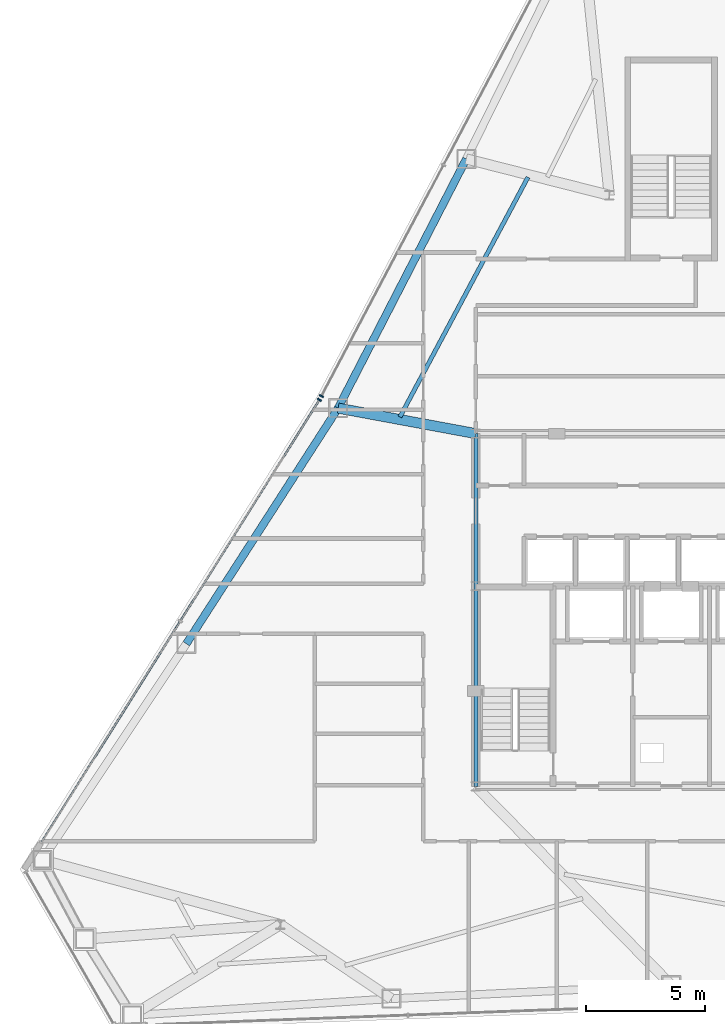
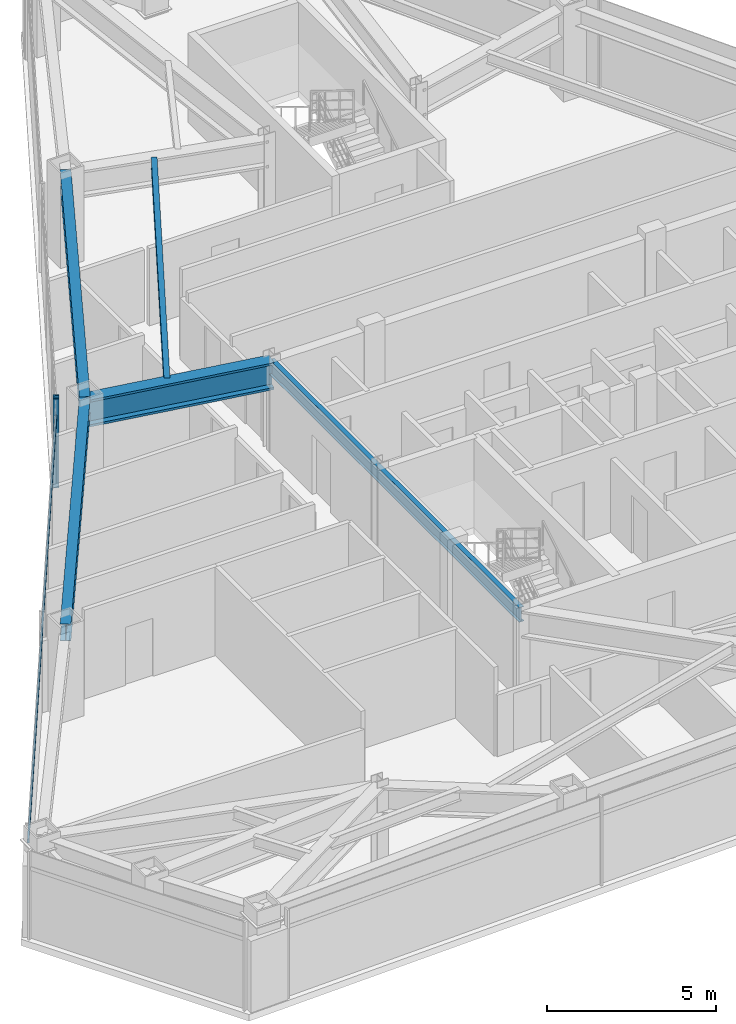
# One storey, part 5 of 13: 5 beams, 3 members, 2 elements without a shape of their own.
"""IFC4 building model written with IfcOpenShell, lengths in metres."""

from ifc_helpers import new_model, si_unit, direction, frame, origin, origin_2d, place, context, subcontext, project, spatial, rectangle, i_section, extrude, source, transform, mapped, material, layer, layer_set, material_profile, profile_set, type_object, type_shapes, element, aggregate, save


model = new_model("IFC4")

# Units and contexts
model_context = context("Model", 3, precision=1e-05, world=origin(), true_north=direction((0.0, 1.0)))
body_context = subcontext(model_context, "Body", "Model", "MODEL_VIEW")
ifc_project = project(units=[si_unit("LENGTHUNIT", "METRE"), si_unit("AREAUNIT", "SQUARE_METRE"), si_unit("VOLUMEUNIT", "CUBIC_METRE"), si_unit("PLANEANGLEUNIT", "RADIAN"), si_unit("MASSUNIT", "GRAM", prefix="KILO")], contexts=[model_context])

# Site, building, storey
site_placement = place(None, origin())
site = spatial("IfcSite", under=ifc_project, at=site_placement, CompositionType="ELEMENT")
building_placement = place(site_placement, origin())
building = spatial("IfcBuilding", under=site, at=building_placement, Name="Varakhsha Concourse Tower", CompositionType="ELEMENT")
storey_placement = place(building_placement, frame((0.0, 0.0, 179.25)))
storey = spatial("IfcBuildingStorey", under=building, at=storey_placement, Name="L51", CompositionType="ELEMENT", Elevation=179.25)

# Beams
ifc_material_1 = material(Name="Structural Steel ASTM A992 Grade 50", Category="steel")
ifc_material_profile_1 = material_profile(ifc_material_1, i_section(OverallWidth=0.177978515625, OverallDepth=0.406982421875, WebThickness=0.008056640625, FlangeThickness=0.012939453125, at=origin_2d()), Name="W16X40")
ifc_profile_set_1 = profile_set([ifc_material_profile_1], Name="Structural Steel ASTM A992 Grade 50")
beam_type_1 = type_object("IfcBeamType", Name="BM-JST-W16X40", PredefinedType="JOIST", material=ifc_profile_set_1)
beam_1_placement = place(storey_placement, frame((33.989013671875, 41.957275390625, 3.006591796875), z_axis=(-0.470992582223, -0.882137170451, 0.0), x_axis=(0.882137170451, -0.470992582223, 0.0)))
element("IfcBeam", 1, at=beam_1_placement, inside=storey, type_object=beam_type_1, Name="BM-TJST-L51-04", PredefinedType="JOIST", context=body_context, shape_type="SweptSolid", body=[
    extrude(i_section(OverallWidth=0.177978515625, OverallDepth=0.406982421875, WebThickness=0.008056640625, FlangeThickness=0.012939453125, at=origin_2d()), origin(), (0.0, 0.0, 1.0), 11.40576171875),
])
ifc_material_profile_2 = material_profile(ifc_material_1, i_section(OverallWidth=0.1669921875, OverallDepth=0.534912109375, WebThickness=0.010009765625, FlangeThickness=0.01708984375, at=origin_2d()), Name="W21X57")
ifc_profile_set_2 = profile_set([ifc_material_profile_2], Name="Structural Steel ASTM A992 Grade 50")
beam_type_2 = type_object("IfcBeamType", Name="BM-RAD-W21X57", PredefinedType="BEAM", material=ifc_profile_set_2)
beam_2_placement = place(storey_placement, frame((31.800048828125, 16.39990234375, 2.9423828125), z_axis=(0.0, 1.0, 0.0), x_axis=(-1.0, 0.0, 0.0)))
element("IfcBeam", 2, at=beam_2_placement, inside=storey, type_object=beam_type_2, Name="BM-TCORE-L51-CW", PredefinedType="BEAM", context=body_context, shape_type="SweptSolid", body=[
    extrude(i_section(OverallWidth=0.1669921875, OverallDepth=0.534912109375, WebThickness=0.010009765625, FlangeThickness=0.01708984375, at=origin_2d()), origin(), (0.0, 0.0, 1.0), 14.800048828125),
])
ifc_material_profile_3 = material_profile(ifc_material_1, i_section(OverallWidth=0.323974609375, OverallDepth=0.611083984375, WebThickness=0.012939453125, FlangeThickness=0.01904296875, at=origin_2d()), Name="W24X104")
ifc_profile_set_3 = profile_set([ifc_material_profile_3], Name="Structural Steel ASTM A992 Grade 50")
beam_type_3 = type_object("IfcBeamType", Name="BM-SPAN-W24X104", PredefinedType="SPANDREL", material=ifc_profile_set_3)
for number, where, z_axis, x_axis, name in (
    (3, (31.401611328125, 42.7255859375, 2.904541015625), (-0.457375223262, -0.889273807748, 0.0), (0.889273807748, -0.457375223262, 0.0), "BM-SPAN-L51-04"),
    (4, (26.023681640625, 32.269287109375, 2.904541015625), (-0.541439522793, -0.840739700001, 0.0), (0.840739700001, -0.541439522793, 0.0), "BM-SPAN-L51-05"),
):
    element("IfcBeam", number, at=place(storey_placement, frame(where, z_axis=z_axis, x_axis=x_axis)), inside=storey, type_object=beam_type_3, Name=name, PredefinedType="SPANDREL", context=body_context, shape_type="SweptSolid", body=[
        extrude(i_section(OverallWidth=0.323974609375, OverallDepth=0.611083984375, WebThickness=0.012939453125, FlangeThickness=0.01904296875, at=origin_2d()), origin(), (0.0, 0.0, 1.0), 11.75830078125),
    ])
ifc_material_profile_4 = material_profile(ifc_material_1, i_section(OverallWidth=0.427978515625, OverallDepth=0.97509765625, WebThickness=0.050048828125, FlangeThickness=0.0810546875, at=origin_2d()), Name="W36X395")
ifc_profile_set_4 = profile_set([ifc_material_profile_4], Name="Structural Steel ASTM A992 Grade 50")
beam_type_4 = type_object("IfcBeamType", Name="BM-XFER-W36X395", PredefinedType="USERDEFINED", material=ifc_profile_set_4)
beam_3_placement = place(storey_placement, frame((31.800048828125, 31.199951171875, 2.722412109375), z_axis=(-0.983293026869, 0.182029731939, 0.0), x_axis=(-0.182029731939, -0.983293026869, 0.0)))
element("IfcBeam", 5, at=beam_3_placement, inside=storey, type_object=beam_type_4, Name="L51 Radial Floor Girder 05", ObjectType="GIRDER", PredefinedType="USERDEFINED", context=body_context, shape_type="SweptSolid", body=[
    extrude(i_section(OverallWidth=0.427978515625, OverallDepth=0.97509765625, WebThickness=0.050048828125, FlangeThickness=0.0810546875, at=origin_2d()), origin(), (0.0, 0.0, 1.0), 5.87451171875),
])

# Curtain wall, member
ifc_material_2 = material(Name="Anodised Bronze Architectural Aluminium AA 6063-T6", Category="aluminium")
ifc_layer = layer(ifc_material_2, 0.2099609375, Name="CW-SYS-04")
ifc_layer_set = layer_set([ifc_layer], Name="Anodised Bronze Architectural Aluminium AA 6063-T6")
curtain_wall_type = type_object("IfcCurtainWallType", Name="CW-SYS-04", PredefinedType="NOTDEFINED", material=ifc_layer_set)
curtain_wall_1_placement = place(storey_placement, origin())
curtain_wall_1 = element("IfcCurtainWall", 6, at=curtain_wall_1_placement, inside=storey, type_object=curtain_wall_type, Name="L51 Crystal Curtain Wall F2", PredefinedType="NOTDEFINED")
ifc_material_profile_5 = material_profile(ifc_material_2, rectangle(XDim=0.06494140625, YDim=0.179931640625, at=origin_2d()), Name="CWM-180X65")
ifc_profile_set_5 = profile_set([ifc_material_profile_5], Name="Anodised Bronze Architectural Aluminium AA 6063-T6")
member_type_1 = type_object("IfcMemberType", Name="CWM-180X65", PredefinedType="MULLION", material=ifc_profile_set_5)
shared_shape_1 = source(origin(), body_context, "Body", "SweptSolid", [
    extrude(rectangle(XDim=0.06494140625, YDim=0.179931640625, at=origin_2d()), origin(), (0.0, 0.0, 1.0), 3.2099609375),
])
type_shapes(member_type_1, [shared_shape_1])
member_1_placement = place(storey_placement, frame((25.325927734375, 32.771240234375, 0.0), z_axis=(0.0, 0.0, 1.0), x_axis=(0.46728648373, 0.884105956389, 0.0)))
member_1 = element("IfcMember", 7, at=member_1_placement, type_object=member_type_1, Name="CW-L51-F2 Mullion 00", PredefinedType="MULLION", context=body_context, shape_type="MappedRepresentation", body=[
    mapped(shared_shape_1, transform((0.0, 0.0, 0.0), scale=1.0)),
])
aggregate(curtain_wall_1, [member_1])

# Curtain wall, members
curtain_wall_2_placement = place(storey_placement, origin())
curtain_wall_2 = element("IfcCurtainWall", 8, at=curtain_wall_2_placement, inside=storey, type_object=curtain_wall_type, Name="L51 Crystal Curtain Wall F3", PredefinedType="NOTDEFINED")
member_2_placement = place(storey_placement, frame((25.239990234375, 32.622314453125, 0.0), z_axis=(0.0, 0.0, 1.0), x_axis=(0.532022365141, 0.846730301212, 0.0)))
member_2 = element("IfcMember", 9, at=member_2_placement, type_object=member_type_1, Name="CW-L51-F3 Mullion 02", PredefinedType="MULLION", context=body_context, shape_type="MappedRepresentation", body=[
    mapped(shared_shape_1, transform((0.0, 0.0, 0.0), scale=1.0)),
])
ifc_material_profile_6 = material_profile(ifc_material_2, rectangle(XDim=0.06005859375, YDim=0.139892578125, at=origin_2d()), Name="CWT-140X60")
ifc_profile_set_6 = profile_set([ifc_material_profile_6], Name="Anodised Bronze Architectural Aluminium AA 6063-T6")
member_type_2 = type_object("IfcMemberType", Name="CWT-140X60", PredefinedType="USERDEFINED", material=ifc_profile_set_6)
shared_shape_2 = source(origin(), body_context, "Body", "SweptSolid", [
    extrude(rectangle(XDim=0.06005859375, YDim=0.139892578125, at=origin_2d()), origin(), (0.0, 0.0, 1.0), 21.939208984375),
])
type_shapes(member_type_2, [shared_shape_2])
member_3_placement = place(storey_placement, frame((13.56787109375, 14.045654296875, 2.56005859375), z_axis=(0.532019983212, 0.846731797834, 0.0), x_axis=(-0.846731797834, 0.532019983212, 0.0)))
member_3 = element("IfcMember", 10, at=member_3_placement, type_object=member_type_2, Name="CW-L51-F3 Transom 01", ObjectType="TRANSOM", PredefinedType="USERDEFINED", context=body_context, shape_type="MappedRepresentation", body=[
    mapped(shared_shape_2, transform((0.0, 0.0, 0.0), scale=1.0)),
])
aggregate(curtain_wall_2, [member_2, member_3])

save(model, "model.ifc")
